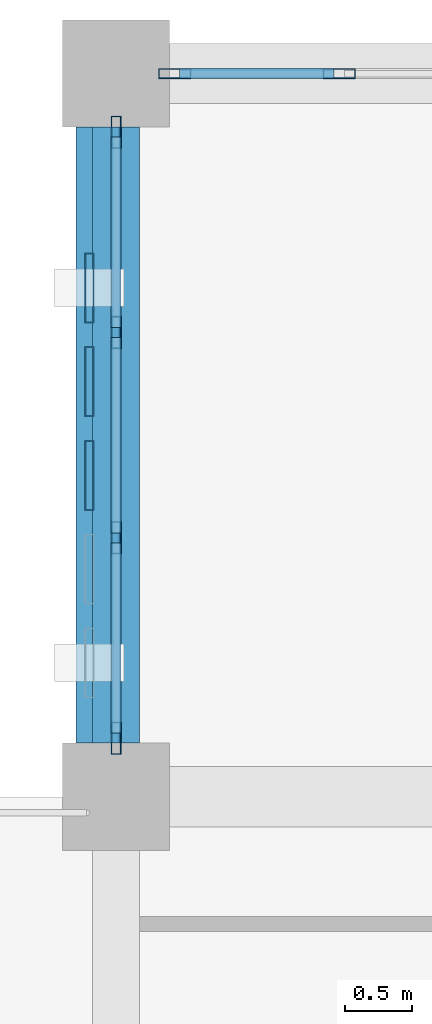
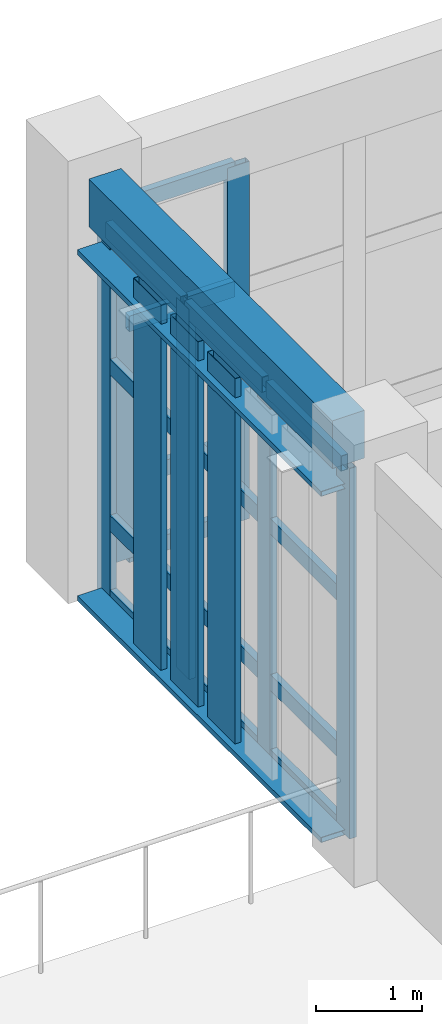
# One storey, part 42 of 93: 27 members, 1 beam, 2 elements without a shape of their own.
"""IFC4 building model written with IfcOpenShell, lengths in metres."""

from ifc_helpers import new_model, si_unit, direction, frame, origin, origin_2d, place, context, subcontext, project, spatial, rectangle, hollow_rectangle, extrude, material, layer, layer_set, material_profile, profile_set, type_object, element, aggregate, save


model = new_model("IFC4")

# Units and contexts
model_context = context("Model", 3, precision=1e-05, world=origin(), true_north=direction((0.0, 1.0)))
body_context = subcontext(model_context, "Body", "Model", "MODEL_VIEW")
ifc_project = project(units=[si_unit("LENGTHUNIT", "METRE"), si_unit("AREAUNIT", "SQUARE_METRE"), si_unit("VOLUMEUNIT", "CUBIC_METRE"), si_unit("PLANEANGLEUNIT", "RADIAN"), si_unit("MASSUNIT", "GRAM", prefix="KILO")], contexts=[model_context])

# Site, building, storey
site_placement = place(None, origin())
site = spatial("IfcSite", under=ifc_project, at=site_placement, CompositionType="ELEMENT")
building_placement = place(site_placement, origin())
building = spatial("IfcBuilding", under=site, at=building_placement, Name="Krzemoval Escarpment Law Courts", CompositionType="ELEMENT")
storey_placement = place(building_placement, frame((0.0, 0.0, 10.199951171875)))
storey = spatial("IfcBuildingStorey", under=building, at=storey_placement, Name="L02", CompositionType="ELEMENT", Elevation=10.199951171875)

# Beam
ifc_material_1 = material(Name="Concrete C40/50", Category="concrete")
ifc_material_profile_1 = material_profile(ifc_material_1, rectangle(XDim=0.35009765625, YDim=0.550048828125, at=origin_2d()), Name="RCB 350x550")
ifc_profile_set_1 = profile_set([ifc_material_profile_1], Name="Concrete C40/50")
beam_type = type_object("IfcBeamType", Name="BM-RC-350x550", PredefinedType="BEAM", material=ifc_profile_set_1)
beam_placement = place(storey_placement, frame((126.0, 113.800048828125, 4.545166015625), z_axis=(0.0, 1.0, 0.0), x_axis=(-1.0, 0.0, 0.0)))
element("IfcBeam", 1, at=beam_placement, inside=storey, type_object=beam_type, Name="Beam FG-L02-1965", PredefinedType="BEAM", context=body_context, shape_type="SweptSolid", body=[
    extrude(rectangle(XDim=0.35009765625, YDim=0.550048828125, at=origin_2d()), origin(), (0.0, 0.0, 1.0), 4.599853515625),
])

# Curtain wall, members
ifc_material_2 = material(Name="Aluminium 6063-T6", Category="aluminium")
ifc_layer = layer(ifc_material_2, 0.239990234375)
ifc_layer_set = layer_set([ifc_layer], Name="Aluminium 6063-T6")
curtain_wall_type = type_object("IfcCurtainWallType", Name="CW-CHMB-4800", PredefinedType="USERDEFINED", material=ifc_layer_set)
curtain_wall_1_placement = place(storey_placement, origin())
curtain_wall_1 = element("IfcCurtainWall", 2, at=curtain_wall_1_placement, inside=storey, type_object=curtain_wall_type, Name="Unitised Curtain Wall FCW-L02-086", ObjectType="UNITISED_CURTAIN_WALL", PredefinedType="USERDEFINED")
ifc_material_3 = material(Name="Aluminium 6063-T6", Category="aluminium")
ifc_material_profile_2 = material_profile(ifc_material_3, hollow_rectangle(XDim=0.074951171875, YDim=0.239990234375, WallThickness=0.0048828125, at=origin_2d()), Name="ALU M75x240")
ifc_profile_set_2 = profile_set([ifc_material_profile_2], Name="Aluminium 6063-T6")
member_type_1 = type_object("IfcMemberType", Name="CWM-75x240", PredefinedType="MULLION", material=ifc_profile_set_2)
member_1_placement = place(storey_placement, frame((126.4375, 118.800048828125, 0.0), z_axis=(0.0, 0.0, 1.0), x_axis=(0.0, 1.0, 0.0)))
member_1 = element("IfcMember", 3, at=member_1_placement, type_object=member_type_1, Name="FCW-L02-086 mullion 1", PredefinedType="MULLION", context=body_context, shape_type="SweptSolid", body=[
    extrude(hollow_rectangle(XDim=0.074951171875, YDim=0.239990234375, WallThickness=0.0048828125, at=origin_2d()), origin(), (0.0, 0.0, 1.0), 4.1201171875),
])
member_2_placement = place(storey_placement, frame((127.666748046875, 118.800048828125, 0.0), z_axis=(0.0, 0.0, 1.0), x_axis=(0.0, 1.0, 0.0)))
member_2 = element("IfcMember", 4, at=member_2_placement, type_object=member_type_1, Name="FCW-L02-086 mullion 2", PredefinedType="MULLION", context=body_context, shape_type="SweptSolid", body=[
    extrude(hollow_rectangle(XDim=0.074951171875, YDim=0.239990234375, WallThickness=0.0048828125, at=origin_2d()), origin(), (0.0, 0.0, 1.0), 4.1201171875),
])

curtain_wall_2_placement = place(storey_placement, origin())
curtain_wall_2 = element("IfcCurtainWall", 5, at=curtain_wall_2_placement, inside=storey, type_object=curtain_wall_type, Name="Unitised Curtain Wall FCW-L02-095", ObjectType="UNITISED_CURTAIN_WALL", PredefinedType="USERDEFINED")
member_3_placement = place(storey_placement, frame((126.0, 113.83740234375, 0.0), z_axis=(0.0, 0.0, 1.0), x_axis=(-1.0, 0.0, 0.0)))
member_3 = element("IfcMember", 6, at=member_3_placement, type_object=member_type_1, Name="FCW-L02-095 mullion 1", PredefinedType="MULLION", context=body_context, shape_type="SweptSolid", body=[
    extrude(hollow_rectangle(XDim=0.074951171875, YDim=0.239990234375, WallThickness=0.0048828125, at=origin_2d()), origin(), (0.0, 0.0, 1.0), 4.27001953125),
])
member_4_placement = place(storey_placement, frame((126.0, 115.333251953125, 0.0), z_axis=(0.0, 0.0, 1.0), x_axis=(-1.0, 0.0, 0.0)))
member_4 = element("IfcMember", 7, at=member_4_placement, type_object=member_type_1, Name="FCW-L02-095 mullion 2", PredefinedType="MULLION", context=body_context, shape_type="SweptSolid", body=[
    extrude(hollow_rectangle(XDim=0.074951171875, YDim=0.239990234375, WallThickness=0.0048828125, at=origin_2d()), origin(), (0.0, 0.0, 1.0), 4.27001953125),
])
member_5_placement = place(storey_placement, frame((126.0, 116.86669921875, 0.0), z_axis=(0.0, 0.0, 1.0), x_axis=(-1.0, 0.0, 0.0)))
member_5 = element("IfcMember", 8, at=member_5_placement, type_object=member_type_1, Name="FCW-L02-095 mullion 3", PredefinedType="MULLION", context=body_context, shape_type="SweptSolid", body=[
    extrude(hollow_rectangle(XDim=0.074951171875, YDim=0.239990234375, WallThickness=0.0048828125, at=origin_2d()), origin(), (0.0, 0.0, 1.0), 4.27001953125),
])
member_6_placement = place(storey_placement, frame((126.0, 118.362548828125, 0.0), z_axis=(0.0, 0.0, 1.0), x_axis=(-1.0, 0.0, 0.0)))
member_6 = element("IfcMember", 9, at=member_6_placement, type_object=member_type_1, Name="FCW-L02-095 mullion 4", PredefinedType="MULLION", context=body_context, shape_type="SweptSolid", body=[
    extrude(hollow_rectangle(XDim=0.074951171875, YDim=0.239990234375, WallThickness=0.0048828125, at=origin_2d()), origin(), (0.0, 0.0, 1.0), 4.27001953125),
])

# Member
ifc_material_4 = material(Name="Aluminium 6063-T6", Category="aluminium")
ifc_material_profile_3 = material_profile(ifc_material_4, hollow_rectangle(XDim=0.074951171875, YDim=0.179931640625, WallThickness=0.0048828125, at=origin_2d()), Name="ALU T75x180")
ifc_profile_set_3 = profile_set([ifc_material_profile_3], Name="Aluminium 6063-T6")
member_type_2 = type_object("IfcMemberType", Name="CWT-75x180", PredefinedType="USERDEFINED", material=ifc_profile_set_3)
member_7_placement = place(storey_placement, frame((126.47509765625, 118.800048828125, 0.03759765625), z_axis=(1.0, 0.0, 0.0), x_axis=(0.0, 1.0, 0.0)))
member_7 = element("IfcMember", 10, at=member_7_placement, type_object=member_type_2, Name="FCW-L02-086 transom 1.1", ObjectType="TRANSOM", PredefinedType="USERDEFINED", context=body_context, shape_type="SweptSolid", body=[
    extrude(hollow_rectangle(XDim=0.074951171875, YDim=0.179931640625, WallThickness=0.0048828125, at=origin_2d()), origin(), (0.0, 0.0, 1.0), 1.154052734375),
])

member_8_placement = place(storey_placement, frame((126.47509765625, 118.800048828125, 0.900146484375), z_axis=(1.0, 0.0, 0.0), x_axis=(0.0, 1.0, 0.0)))
member_8 = element("IfcMember", 11, at=member_8_placement, type_object=member_type_2, Name="FCW-L02-086 transom 1.2", ObjectType="TRANSOM", PredefinedType="USERDEFINED", context=body_context, shape_type="SweptSolid", body=[
    extrude(hollow_rectangle(XDim=0.074951171875, YDim=0.179931640625, WallThickness=0.0048828125, at=origin_2d()), origin(), (0.0, 0.0, 1.0), 1.154052734375),
])

member_9_placement = place(storey_placement, frame((126.47509765625, 118.800048828125, 2.699951171875), z_axis=(1.0, 0.0, 0.0), x_axis=(0.0, 1.0, 0.0)))
member_9 = element("IfcMember", 12, at=member_9_placement, type_object=member_type_2, Name="FCW-L02-086 transom 1.3", ObjectType="TRANSOM", PredefinedType="USERDEFINED", context=body_context, shape_type="SweptSolid", body=[
    extrude(hollow_rectangle(XDim=0.074951171875, YDim=0.179931640625, WallThickness=0.0048828125, at=origin_2d()), origin(), (0.0, 0.0, 1.0), 1.154052734375),
])

member_10_placement = place(storey_placement, frame((126.47509765625, 118.800048828125, 4.08251953125), z_axis=(1.0, 0.0, 0.0), x_axis=(0.0, 1.0, 0.0)))
member_10 = element("IfcMember", 13, at=member_10_placement, type_object=member_type_2, Name="FCW-L02-086 transom 1.4", ObjectType="TRANSOM", PredefinedType="USERDEFINED", context=body_context, shape_type="SweptSolid", body=[
    extrude(hollow_rectangle(XDim=0.074951171875, YDim=0.179931640625, WallThickness=0.0048828125, at=origin_2d()), origin(), (0.0, 0.0, 1.0), 1.154052734375),
])

aggregate(curtain_wall_1, [member_1, member_2, member_7, member_8, member_9, member_10])

member_11_placement = place(storey_placement, frame((126.0, 113.875, 0.03759765625), z_axis=(0.0, 1.0, 0.0), x_axis=(-1.0, 0.0, 0.0)))
member_11 = element("IfcMember", 14, at=member_11_placement, type_object=member_type_2, Name="FCW-L02-095 transom 1.1", ObjectType="TRANSOM", PredefinedType="USERDEFINED", context=body_context, shape_type="SweptSolid", body=[
    extrude(hollow_rectangle(XDim=0.074951171875, YDim=0.179931640625, WallThickness=0.0048828125, at=origin_2d()), origin(), (0.0, 0.0, 1.0), 1.4208984375),
])

member_12_placement = place(storey_placement, frame((126.0, 113.875, 0.900146484375), z_axis=(0.0, 1.0, 0.0), x_axis=(-1.0, 0.0, 0.0)))
member_12 = element("IfcMember", 15, at=member_12_placement, type_object=member_type_2, Name="FCW-L02-095 transom 1.2", ObjectType="TRANSOM", PredefinedType="USERDEFINED", context=body_context, shape_type="SweptSolid", body=[
    extrude(hollow_rectangle(XDim=0.074951171875, YDim=0.179931640625, WallThickness=0.0048828125, at=origin_2d()), origin(), (0.0, 0.0, 1.0), 1.4208984375),
])

member_13_placement = place(storey_placement, frame((126.0, 113.875, 2.699951171875), z_axis=(0.0, 1.0, 0.0), x_axis=(-1.0, 0.0, 0.0)))
member_13 = element("IfcMember", 16, at=member_13_placement, type_object=member_type_2, Name="FCW-L02-095 transom 1.3", ObjectType="TRANSOM", PredefinedType="USERDEFINED", context=body_context, shape_type="SweptSolid", body=[
    extrude(hollow_rectangle(XDim=0.074951171875, YDim=0.179931640625, WallThickness=0.0048828125, at=origin_2d()), origin(), (0.0, 0.0, 1.0), 1.4208984375),
])

member_14_placement = place(storey_placement, frame((126.0, 113.875, 4.232666015625), z_axis=(0.0, 1.0, 0.0), x_axis=(-1.0, 0.0, 0.0)))
member_14 = element("IfcMember", 17, at=member_14_placement, type_object=member_type_2, Name="FCW-L02-095 transom 1.4", ObjectType="TRANSOM", PredefinedType="USERDEFINED", context=body_context, shape_type="SweptSolid", body=[
    extrude(hollow_rectangle(XDim=0.074951171875, YDim=0.179931640625, WallThickness=0.0048828125, at=origin_2d()), origin(), (0.0, 0.0, 1.0), 1.4208984375),
])

member_15_placement = place(storey_placement, frame((126.0, 115.370849609375, 0.03759765625), z_axis=(0.0, 1.0, 0.0), x_axis=(-1.0, 0.0, 0.0)))
member_15 = element("IfcMember", 18, at=member_15_placement, type_object=member_type_2, Name="FCW-L02-095 transom 2.1", ObjectType="TRANSOM", PredefinedType="USERDEFINED", context=body_context, shape_type="SweptSolid", body=[
    extrude(hollow_rectangle(XDim=0.074951171875, YDim=0.179931640625, WallThickness=0.0048828125, at=origin_2d()), origin(), (0.0, 0.0, 1.0), 1.458251953125),
])

member_16_placement = place(storey_placement, frame((126.0, 115.370849609375, 0.900146484375), z_axis=(0.0, 1.0, 0.0), x_axis=(-1.0, 0.0, 0.0)))
member_16 = element("IfcMember", 19, at=member_16_placement, type_object=member_type_2, Name="FCW-L02-095 transom 2.2", ObjectType="TRANSOM", PredefinedType="USERDEFINED", context=body_context, shape_type="SweptSolid", body=[
    extrude(hollow_rectangle(XDim=0.074951171875, YDim=0.179931640625, WallThickness=0.0048828125, at=origin_2d()), origin(), (0.0, 0.0, 1.0), 1.458251953125),
])

member_17_placement = place(storey_placement, frame((126.0, 115.370849609375, 2.699951171875), z_axis=(0.0, 1.0, 0.0), x_axis=(-1.0, 0.0, 0.0)))
member_17 = element("IfcMember", 20, at=member_17_placement, type_object=member_type_2, Name="FCW-L02-095 transom 2.3", ObjectType="TRANSOM", PredefinedType="USERDEFINED", context=body_context, shape_type="SweptSolid", body=[
    extrude(hollow_rectangle(XDim=0.074951171875, YDim=0.179931640625, WallThickness=0.0048828125, at=origin_2d()), origin(), (0.0, 0.0, 1.0), 1.458251953125),
])

member_18_placement = place(storey_placement, frame((126.0, 115.370849609375, 4.232666015625), z_axis=(0.0, 1.0, 0.0), x_axis=(-1.0, 0.0, 0.0)))
member_18 = element("IfcMember", 21, at=member_18_placement, type_object=member_type_2, Name="FCW-L02-095 transom 2.4", ObjectType="TRANSOM", PredefinedType="USERDEFINED", context=body_context, shape_type="SweptSolid", body=[
    extrude(hollow_rectangle(XDim=0.074951171875, YDim=0.179931640625, WallThickness=0.0048828125, at=origin_2d()), origin(), (0.0, 0.0, 1.0), 1.458251953125),
])

member_19_placement = place(storey_placement, frame((126.0, 116.904052734375, 0.03759765625), z_axis=(0.0, 1.0, 0.0), x_axis=(-1.0, 0.0, 0.0)))
member_19 = element("IfcMember", 22, at=member_19_placement, type_object=member_type_2, Name="FCW-L02-095 transom 3.1", ObjectType="TRANSOM", PredefinedType="USERDEFINED", context=body_context, shape_type="SweptSolid", body=[
    extrude(hollow_rectangle(XDim=0.074951171875, YDim=0.179931640625, WallThickness=0.0048828125, at=origin_2d()), origin(), (0.0, 0.0, 1.0), 1.4208984375),
])

member_20_placement = place(storey_placement, frame((126.0, 116.904052734375, 0.900146484375), z_axis=(0.0, 1.0, 0.0), x_axis=(-1.0, 0.0, 0.0)))
member_20 = element("IfcMember", 23, at=member_20_placement, type_object=member_type_2, Name="FCW-L02-095 transom 3.2", ObjectType="TRANSOM", PredefinedType="USERDEFINED", context=body_context, shape_type="SweptSolid", body=[
    extrude(hollow_rectangle(XDim=0.074951171875, YDim=0.179931640625, WallThickness=0.0048828125, at=origin_2d()), origin(), (0.0, 0.0, 1.0), 1.4208984375),
])

member_21_placement = place(storey_placement, frame((126.0, 116.904052734375, 2.699951171875), z_axis=(0.0, 1.0, 0.0), x_axis=(-1.0, 0.0, 0.0)))
member_21 = element("IfcMember", 24, at=member_21_placement, type_object=member_type_2, Name="FCW-L02-095 transom 3.3", ObjectType="TRANSOM", PredefinedType="USERDEFINED", context=body_context, shape_type="SweptSolid", body=[
    extrude(hollow_rectangle(XDim=0.074951171875, YDim=0.179931640625, WallThickness=0.0048828125, at=origin_2d()), origin(), (0.0, 0.0, 1.0), 1.4208984375),
])

member_22_placement = place(storey_placement, frame((126.0, 116.904052734375, 4.232666015625), z_axis=(0.0, 1.0, 0.0), x_axis=(-1.0, 0.0, 0.0)))
member_22 = element("IfcMember", 25, at=member_22_placement, type_object=member_type_2, Name="FCW-L02-095 transom 3.4", ObjectType="TRANSOM", PredefinedType="USERDEFINED", context=body_context, shape_type="SweptSolid", body=[
    extrude(hollow_rectangle(XDim=0.074951171875, YDim=0.179931640625, WallThickness=0.0048828125, at=origin_2d()), origin(), (0.0, 0.0, 1.0), 1.4208984375),
])

aggregate(curtain_wall_2, [member_3, member_4, member_5, member_6, member_11, member_12, member_13, member_14, member_15, member_16, member_17, member_18, member_19, member_20, member_21, member_22])

# Members
ifc_material_5 = material(Name="Anodised Aluminium Alloy 6063-T6", Category="aluminium")
ifc_material_profile_4 = material_profile(ifc_material_5, hollow_rectangle(XDim=0.06005859375, YDim=0.320068359375, WallThickness=0.00390625, at=origin_2d()), Name="ALU LVR 60x320")
ifc_profile_set_4 = profile_set([ifc_material_profile_4], Name="Anodised Aluminium Alloy 6063-T6")
member_type_3 = type_object("IfcMemberType", Name="LVR-ALU-320", PredefinedType="USERDEFINED", material=ifc_profile_set_4)
for number, where, z_axis, x_axis, name in (
    (26, (125.860107421875, 113.800048828125, 0.030029296875), (0.0, 1.0, 0.0), (0.0, 0.0, 1.0), "Sunshade Support Rail FSR-L02-0599"),
    (27, (125.860107421875, 113.800048828125, 4.02001953125), (0.0, 1.0, 0.0), (0.0, 0.0, 1.0), "Sunshade Support Rail FSR-L02-0600"),
):
    element("IfcMember", number, at=place(storey_placement, frame(where, z_axis=z_axis, x_axis=x_axis)), inside=storey, type_object=member_type_3, Name=name, ObjectType="SUNSHADE_LOUVRE", PredefinedType="USERDEFINED", context=body_context, shape_type="SweptSolid", body=[
        extrude(hollow_rectangle(XDim=0.06005859375, YDim=0.320068359375, WallThickness=0.00390625, at=origin_2d()), origin(), (0.0, 0.0, 1.0), 4.599853515625),
    ])
ifc_material_6 = material(Name="Anodised Aluminium Alloy 6063-T6", Category="aluminium")
ifc_material_profile_5 = material_profile(ifc_material_6, hollow_rectangle(XDim=0.06494140625, YDim=0.52001953125, WallThickness=0.00439453125, at=origin_2d()), Name="ALU LVR 65x520")
ifc_profile_set_5 = profile_set([ifc_material_profile_5], Name="Anodised Aluminium Alloy 6063-T6")
member_type_4 = type_object("IfcMemberType", Name="LVR-ALU-520", PredefinedType="USERDEFINED", material=ifc_profile_set_5)
for number, where, z_axis, x_axis, name in (
    (28, (125.800048828125, 115.800048828125, 0.06005859375), (0.0, 0.0, 1.0), (1.0, 0.0, 0.0), "Sunshade Louvre Fin FLV-L02-0603"),
    (29, (125.800048828125, 116.5, 0.06005859375), (0.0, 0.0, 1.0), (1.0, 0.0, 0.0), "Sunshade Louvre Fin FLV-L02-0604"),
    (30, (125.800048828125, 117.199951171875, 0.06005859375), (0.0, 0.0, 1.0), (1.0, 0.0, 0.0), "Sunshade Louvre Fin FLV-L02-0605"),
):
    element("IfcMember", number, at=place(storey_placement, frame(where, z_axis=z_axis, x_axis=x_axis)), inside=storey, type_object=member_type_4, Name=name, ObjectType="SUNSHADE_LOUVRE", PredefinedType="USERDEFINED", context=body_context, shape_type="SweptSolid", body=[
        extrude(hollow_rectangle(XDim=0.06494140625, YDim=0.52001953125, WallThickness=0.00439453125, at=origin_2d()), origin(), (0.0, 0.0, 1.0), 4.2099609375),
    ])

save(model, "model.ifc")
